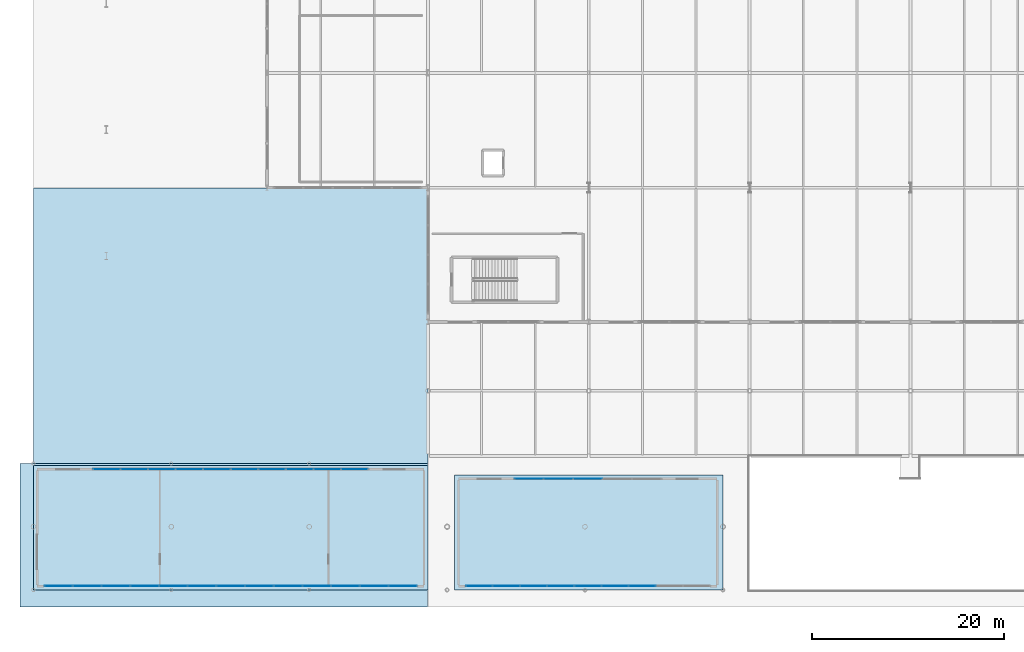
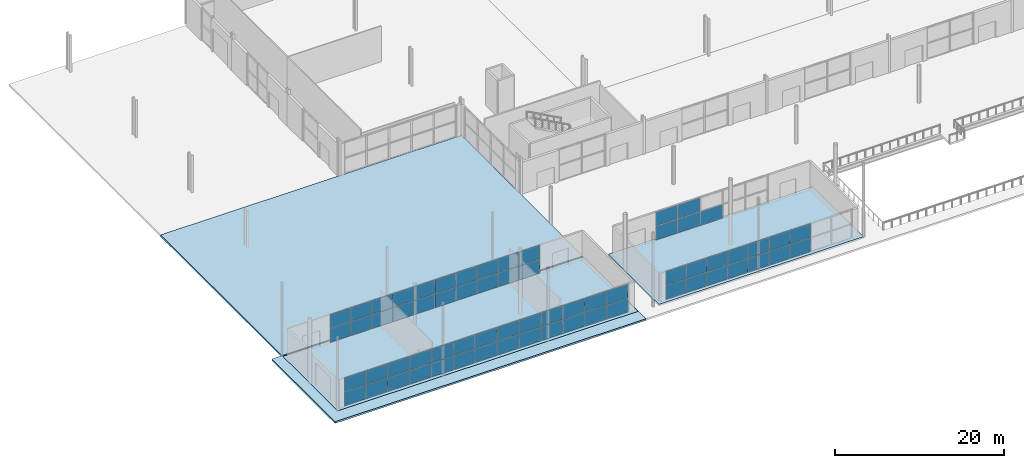
# One storey, part 52 of 87: 65 plates, 4 slabs, 4 elements without a shape of their own.
"""IFC4 building model written with IfcOpenShell, lengths in metres."""

from ifc_helpers import new_model, si_unit, direction, frame, origin, origin_2d, place, context, subcontext, project, spatial, polyline, rectangle, outline, extrude, material, layer, layer_set, type_object, element, aggregate, save


model = new_model("IFC4")

# Units and contexts
model_context = context("Model", 3, precision=1e-05, world=origin(), true_north=direction((0.0, 1.0)))
body_context = subcontext(model_context, "Body", "Model", "MODEL_VIEW")
ifc_project = project(units=[si_unit("LENGTHUNIT", "METRE"), si_unit("AREAUNIT", "SQUARE_METRE"), si_unit("VOLUMEUNIT", "CUBIC_METRE"), si_unit("PLANEANGLEUNIT", "RADIAN"), si_unit("MASSUNIT", "GRAM", prefix="KILO")], contexts=[model_context])

# Site, building, storey
site_placement = place(None, origin())
site = spatial("IfcSite", under=ifc_project, at=site_placement, CompositionType="ELEMENT")
building_placement = place(site_placement, origin())
building = spatial("IfcBuilding", under=site, at=building_placement, Name="Kimbaza Rail Terminus", CompositionType="ELEMENT")
storey_placement = place(building_placement, origin())
storey = spatial("IfcBuildingStorey", under=building, at=storey_placement, Name="L00", CompositionType="ELEMENT", Elevation=0.0)

# Curtain wall, plates
ifc_material_1 = material(Name="Anodised aluminium framing and solar low-E glazing", Category="aluminium")
curtain_wall_type = type_object("IfcCurtainWallType", Name="ARC-CW-PV1", PredefinedType="USERDEFINED", material=ifc_material_1)
curtain_wall_1_placement = place(storey_placement, origin())
curtain_wall_1 = element("IfcCurtainWall", 1, at=curtain_wall_1_placement, inside=storey, type_object=curtain_wall_type, Name="Bus Dispatch Hub North Curtain Wall", ObjectType="STICK CURTAIN WALL", PredefinedType="USERDEFINED")
ifc_material_2 = material(Name="Solar-control double low-E glazing", Category="glass")
ifc_layer_1 = layer(ifc_material_2, 0.027099609375)
ifc_layer_set_1 = layer_set([ifc_layer_1], Name="Solar-control double low-E glazing")
plate_type = type_object("IfcPlateType", Name="ARC-CWP-04", PredefinedType="CURTAIN_PANEL", material=ifc_layer_set_1)
plate_1_placement = place(storey_placement, frame((21.65625, 25.60009765625, 0.06494140625), z_axis=(0.0, 0.0, 1.0), x_axis=(1.0, 0.0, 0.0)))
plate_1 = element("IfcPlate", 2, at=plate_1_placement, type_object=plate_type, Name="CW-04 panel 1.1", PredefinedType="CURTAIN_PANEL", context=body_context, shape_type="SweptSolid", body=[
    extrude(rectangle(XDim=2.782470703125, YDim=0.027099609375, at=origin_2d()), origin(), (0.0, 0.0, 1.0), 2.00244140625),
])
plate_2_placement = place(storey_placement, frame((21.65625, 25.60009765625, 2.132568359375), z_axis=(0.0, 0.0, 1.0), x_axis=(1.0, 0.0, 0.0)))
plate_2 = element("IfcPlate", 3, at=plate_2_placement, type_object=plate_type, Name="CW-04 panel 1.2", PredefinedType="CURTAIN_PANEL", context=body_context, shape_type="SweptSolid", body=[
    extrude(rectangle(XDim=2.782470703125, YDim=0.027099609375, at=origin_2d()), origin(), (0.0, 0.0, 1.0), 2.00244140625),
])
plate_3_placement = place(storey_placement, frame((24.52001953125, 25.60009765625, 0.06494140625), z_axis=(0.0, 0.0, 1.0), x_axis=(1.0, 0.0, 0.0)))
plate_3 = element("IfcPlate", 4, at=plate_3_placement, type_object=plate_type, Name="CW-04 panel 2.1", PredefinedType="CURTAIN_PANEL", context=body_context, shape_type="SweptSolid", body=[
    extrude(rectangle(XDim=2.81494140625, YDim=0.027099609375, at=origin_2d()), origin(), (0.0, 0.0, 1.0), 2.00244140625),
])
plate_4_placement = place(storey_placement, frame((24.52001953125, 25.60009765625, 2.132568359375), z_axis=(0.0, 0.0, 1.0), x_axis=(1.0, 0.0, 0.0)))
plate_4 = element("IfcPlate", 5, at=plate_4_placement, type_object=plate_type, Name="CW-04 panel 2.2", PredefinedType="CURTAIN_PANEL", context=body_context, shape_type="SweptSolid", body=[
    extrude(rectangle(XDim=2.81494140625, YDim=0.027099609375, at=origin_2d()), origin(), (0.0, 0.0, 1.0), 2.00244140625),
])
plate_5_placement = place(storey_placement, frame((27.39990234375, 25.60009765625, 0.06494140625), z_axis=(0.0, 0.0, 1.0), x_axis=(1.0, 0.0, 0.0)))
plate_5 = element("IfcPlate", 6, at=plate_5_placement, type_object=plate_type, Name="CW-04 panel 3.1", PredefinedType="CURTAIN_PANEL", context=body_context, shape_type="SweptSolid", body=[
    extrude(rectangle(XDim=2.81494140625, YDim=0.027099609375, at=origin_2d()), origin(), (0.0, 0.0, 1.0), 2.00244140625),
])
plate_6_placement = place(storey_placement, frame((27.39990234375, 25.60009765625, 2.132568359375), z_axis=(0.0, 0.0, 1.0), x_axis=(1.0, 0.0, 0.0)))
plate_6 = element("IfcPlate", 7, at=plate_6_placement, type_object=plate_type, Name="CW-04 panel 3.2", PredefinedType="CURTAIN_PANEL", context=body_context, shape_type="SweptSolid", body=[
    extrude(rectangle(XDim=2.81494140625, YDim=0.027099609375, at=origin_2d()), origin(), (0.0, 0.0, 1.0), 2.00244140625),
])
plate_7_placement = place(storey_placement, frame((30.280029296875, 25.60009765625, 0.06494140625), z_axis=(0.0, 0.0, 1.0), x_axis=(1.0, 0.0, 0.0)))
plate_7 = element("IfcPlate", 8, at=plate_7_placement, type_object=plate_type, Name="CW-04 panel 4.1", PredefinedType="CURTAIN_PANEL", context=body_context, shape_type="SweptSolid", body=[
    extrude(rectangle(XDim=2.81494140625, YDim=0.027099609375, at=origin_2d()), origin(), (0.0, 0.0, 1.0), 2.00244140625),
])
plate_8_placement = place(storey_placement, frame((30.280029296875, 25.60009765625, 2.132568359375), z_axis=(0.0, 0.0, 1.0), x_axis=(1.0, 0.0, 0.0)))
plate_8 = element("IfcPlate", 9, at=plate_8_placement, type_object=plate_type, Name="CW-04 panel 4.2", PredefinedType="CURTAIN_PANEL", context=body_context, shape_type="SweptSolid", body=[
    extrude(rectangle(XDim=2.81494140625, YDim=0.027099609375, at=origin_2d()), origin(), (0.0, 0.0, 1.0), 2.00244140625),
])
plate_9_placement = place(storey_placement, frame((33.159912109375, 25.60009765625, 0.06494140625), z_axis=(0.0, 0.0, 1.0), x_axis=(1.0, 0.0, 0.0)))
plate_9 = element("IfcPlate", 10, at=plate_9_placement, type_object=plate_type, Name="CW-04 panel 5.1", PredefinedType="CURTAIN_PANEL", context=body_context, shape_type="SweptSolid", body=[
    extrude(rectangle(XDim=2.81494140625, YDim=0.027099609375, at=origin_2d()), origin(), (0.0, 0.0, 1.0), 2.00244140625),
])
plate_10_placement = place(storey_placement, frame((33.159912109375, 25.60009765625, 2.132568359375), z_axis=(0.0, 0.0, 1.0), x_axis=(1.0, 0.0, 0.0)))
plate_10 = element("IfcPlate", 11, at=plate_10_placement, type_object=plate_type, Name="CW-04 panel 5.2", PredefinedType="CURTAIN_PANEL", context=body_context, shape_type="SweptSolid", body=[
    extrude(rectangle(XDim=2.81494140625, YDim=0.027099609375, at=origin_2d()), origin(), (0.0, 0.0, 1.0), 2.00244140625),
])
plate_11_placement = place(storey_placement, frame((36.0400390625, 25.60009765625, 0.06494140625), z_axis=(0.0, 0.0, 1.0), x_axis=(1.0, 0.0, 0.0)))
plate_11 = element("IfcPlate", 12, at=plate_11_placement, type_object=plate_type, Name="CW-04 panel 6.1", PredefinedType="CURTAIN_PANEL", context=body_context, shape_type="SweptSolid", body=[
    extrude(rectangle(XDim=2.81494140625, YDim=0.027099609375, at=origin_2d()), origin(), (0.0, 0.0, 1.0), 2.00244140625),
])
plate_12_placement = place(storey_placement, frame((36.0400390625, 25.60009765625, 2.132568359375), z_axis=(0.0, 0.0, 1.0), x_axis=(1.0, 0.0, 0.0)))
plate_12 = element("IfcPlate", 13, at=plate_12_placement, type_object=plate_type, Name="CW-04 panel 6.2", PredefinedType="CURTAIN_PANEL", context=body_context, shape_type="SweptSolid", body=[
    extrude(rectangle(XDim=2.81494140625, YDim=0.027099609375, at=origin_2d()), origin(), (0.0, 0.0, 1.0), 2.00244140625),
])
plate_13_placement = place(storey_placement, frame((38.919921875, 25.60009765625, 0.06494140625), z_axis=(0.0, 0.0, 1.0), x_axis=(1.0, 0.0, 0.0)))
plate_13 = element("IfcPlate", 14, at=plate_13_placement, type_object=plate_type, Name="CW-04 panel 7.1", PredefinedType="CURTAIN_PANEL", context=body_context, shape_type="SweptSolid", body=[
    extrude(rectangle(XDim=2.81494140625, YDim=0.027099609375, at=origin_2d()), origin(), (0.0, 0.0, 1.0), 2.00244140625),
])
plate_14_placement = place(storey_placement, frame((38.919921875, 25.60009765625, 2.132568359375), z_axis=(0.0, 0.0, 1.0), x_axis=(1.0, 0.0, 0.0)))
plate_14 = element("IfcPlate", 15, at=plate_14_placement, type_object=plate_type, Name="CW-04 panel 7.2", PredefinedType="CURTAIN_PANEL", context=body_context, shape_type="SweptSolid", body=[
    extrude(rectangle(XDim=2.81494140625, YDim=0.027099609375, at=origin_2d()), origin(), (0.0, 0.0, 1.0), 2.00244140625),
])
plate_15_placement = place(storey_placement, frame((41.800048828125, 25.60009765625, 0.06494140625), z_axis=(0.0, 0.0, 1.0), x_axis=(1.0, 0.0, 0.0)))
plate_15 = element("IfcPlate", 16, at=plate_15_placement, type_object=plate_type, Name="CW-04 panel 8.1", PredefinedType="CURTAIN_PANEL", context=body_context, shape_type="SweptSolid", body=[
    extrude(rectangle(XDim=2.81494140625, YDim=0.027099609375, at=origin_2d()), origin(), (0.0, 0.0, 1.0), 2.00244140625),
])
plate_16_placement = place(storey_placement, frame((41.800048828125, 25.60009765625, 2.132568359375), z_axis=(0.0, 0.0, 1.0), x_axis=(1.0, 0.0, 0.0)))
plate_16 = element("IfcPlate", 17, at=plate_16_placement, type_object=plate_type, Name="CW-04 panel 8.2", PredefinedType="CURTAIN_PANEL", context=body_context, shape_type="SweptSolid", body=[
    extrude(rectangle(XDim=2.81494140625, YDim=0.027099609375, at=origin_2d()), origin(), (0.0, 0.0, 1.0), 2.00244140625),
])
plate_17_placement = place(storey_placement, frame((44.679931640625, 25.60009765625, 0.06494140625), z_axis=(0.0, 0.0, 1.0), x_axis=(1.0, 0.0, 0.0)))
plate_17 = element("IfcPlate", 18, at=plate_17_placement, type_object=plate_type, Name="CW-04 panel 9.1", PredefinedType="CURTAIN_PANEL", context=body_context, shape_type="SweptSolid", body=[
    extrude(rectangle(XDim=2.81494140625, YDim=0.027099609375, at=origin_2d()), origin(), (0.0, 0.0, 1.0), 2.00244140625),
])
plate_18_placement = place(storey_placement, frame((44.679931640625, 25.60009765625, 2.132568359375), z_axis=(0.0, 0.0, 1.0), x_axis=(1.0, 0.0, 0.0)))
plate_18 = element("IfcPlate", 19, at=plate_18_placement, type_object=plate_type, Name="CW-04 panel 9.2", PredefinedType="CURTAIN_PANEL", context=body_context, shape_type="SweptSolid", body=[
    extrude(rectangle(XDim=2.81494140625, YDim=0.027099609375, at=origin_2d()), origin(), (0.0, 0.0, 1.0), 2.00244140625),
])
plate_19_placement = place(storey_placement, frame((47.543701171875, 25.60009765625, 0.06494140625), z_axis=(0.0, 0.0, 1.0), x_axis=(1.0, 0.0, 0.0)))
plate_19 = element("IfcPlate", 20, at=plate_19_placement, type_object=plate_type, Name="CW-04 panel 10.1", PredefinedType="CURTAIN_PANEL", context=body_context, shape_type="SweptSolid", body=[
    extrude(rectangle(XDim=2.782470703125, YDim=0.027099609375, at=origin_2d()), origin(), (0.0, 0.0, 1.0), 2.00244140625),
])
plate_20_placement = place(storey_placement, frame((47.543701171875, 25.60009765625, 2.132568359375), z_axis=(0.0, 0.0, 1.0), x_axis=(1.0, 0.0, 0.0)))
plate_20 = element("IfcPlate", 21, at=plate_20_placement, type_object=plate_type, Name="CW-04 panel 10.2", PredefinedType="CURTAIN_PANEL", context=body_context, shape_type="SweptSolid", body=[
    extrude(rectangle(XDim=2.782470703125, YDim=0.027099609375, at=origin_2d()), origin(), (0.0, 0.0, 1.0), 2.00244140625),
])
aggregate(curtain_wall_1, [plate_1, plate_2, plate_3, plate_4, plate_5, plate_6, plate_7, plate_8, plate_9, plate_10, plate_11, plate_12, plate_13, plate_14, plate_15, plate_16, plate_17, plate_18, plate_19, plate_20])

curtain_wall_2_placement = place(storey_placement, origin())
curtain_wall_2 = element("IfcCurtainWall", 22, at=curtain_wall_2_placement, inside=storey, type_object=curtain_wall_type, Name="Bus Dispatch Hub South Curtain Wall", ObjectType="STICK CURTAIN WALL", PredefinedType="USERDEFINED")
plate_21_placement = place(storey_placement, frame((16.634765625, 13.39990234375, 0.06494140625), z_axis=(0.0, 0.0, 1.0), x_axis=(1.0, 0.0, 0.0)))
plate_21 = element("IfcPlate", 23, at=plate_21_placement, type_object=plate_type, Name="CW-04 panel 1.1", PredefinedType="CURTAIN_PANEL", context=body_context, shape_type="SweptSolid", body=[
    extrude(rectangle(XDim=2.8994140625, YDim=0.027099609375, at=origin_2d()), origin(), (0.0, 0.0, 1.0), 2.00244140625),
])
plate_22_placement = place(storey_placement, frame((16.634765625, 13.39990234375, 2.132568359375), z_axis=(0.0, 0.0, 1.0), x_axis=(1.0, 0.0, 0.0)))
plate_22 = element("IfcPlate", 24, at=plate_22_placement, type_object=plate_type, Name="CW-04 panel 1.2", PredefinedType="CURTAIN_PANEL", context=body_context, shape_type="SweptSolid", body=[
    extrude(rectangle(XDim=2.8994140625, YDim=0.027099609375, at=origin_2d()), origin(), (0.0, 0.0, 1.0), 2.00244140625),
])
plate_23_placement = place(storey_placement, frame((19.615478515625, 13.39990234375, 0.06494140625), z_axis=(0.0, 0.0, 1.0), x_axis=(1.0, 0.0, 0.0)))
plate_23 = element("IfcPlate", 25, at=plate_23_placement, type_object=plate_type, Name="CW-04 panel 2.1", PredefinedType="CURTAIN_PANEL", context=body_context, shape_type="SweptSolid", body=[
    extrude(rectangle(XDim=2.931884765625, YDim=0.027099609375, at=origin_2d()), origin(), (0.0, 0.0, 1.0), 2.00244140625),
])
plate_24_placement = place(storey_placement, frame((19.615478515625, 13.39990234375, 2.132568359375), z_axis=(0.0, 0.0, 1.0), x_axis=(1.0, 0.0, 0.0)))
plate_24 = element("IfcPlate", 26, at=plate_24_placement, type_object=plate_type, Name="CW-04 panel 2.2", PredefinedType="CURTAIN_PANEL", context=body_context, shape_type="SweptSolid", body=[
    extrude(rectangle(XDim=2.931884765625, YDim=0.027099609375, at=origin_2d()), origin(), (0.0, 0.0, 1.0), 2.00244140625),
])
plate_25_placement = place(storey_placement, frame((22.6123046875, 13.39990234375, 0.06494140625), z_axis=(0.0, 0.0, 1.0), x_axis=(1.0, 0.0, 0.0)))
plate_25 = element("IfcPlate", 27, at=plate_25_placement, type_object=plate_type, Name="CW-04 panel 3.1", PredefinedType="CURTAIN_PANEL", context=body_context, shape_type="SweptSolid", body=[
    extrude(rectangle(XDim=2.931884765625, YDim=0.027099609375, at=origin_2d()), origin(), (0.0, 0.0, 1.0), 2.00244140625),
])
plate_26_placement = place(storey_placement, frame((22.6123046875, 13.39990234375, 2.132568359375), z_axis=(0.0, 0.0, 1.0), x_axis=(1.0, 0.0, 0.0)))
plate_26 = element("IfcPlate", 28, at=plate_26_placement, type_object=plate_type, Name="CW-04 panel 3.2", PredefinedType="CURTAIN_PANEL", context=body_context, shape_type="SweptSolid", body=[
    extrude(rectangle(XDim=2.931884765625, YDim=0.027099609375, at=origin_2d()), origin(), (0.0, 0.0, 1.0), 2.00244140625),
])
plate_27_placement = place(storey_placement, frame((25.609130859375, 13.39990234375, 0.06494140625), z_axis=(0.0, 0.0, 1.0), x_axis=(1.0, 0.0, 0.0)))
plate_27 = element("IfcPlate", 29, at=plate_27_placement, type_object=plate_type, Name="CW-04 panel 4.1", PredefinedType="CURTAIN_PANEL", context=body_context, shape_type="SweptSolid", body=[
    extrude(rectangle(XDim=2.931884765625, YDim=0.027099609375, at=origin_2d()), origin(), (0.0, 0.0, 1.0), 2.00244140625),
])
plate_28_placement = place(storey_placement, frame((25.609130859375, 13.39990234375, 2.132568359375), z_axis=(0.0, 0.0, 1.0), x_axis=(1.0, 0.0, 0.0)))
plate_28 = element("IfcPlate", 30, at=plate_28_placement, type_object=plate_type, Name="CW-04 panel 4.2", PredefinedType="CURTAIN_PANEL", context=body_context, shape_type="SweptSolid", body=[
    extrude(rectangle(XDim=2.931884765625, YDim=0.027099609375, at=origin_2d()), origin(), (0.0, 0.0, 1.0), 2.00244140625),
])
plate_29_placement = place(storey_placement, frame((28.606201171875, 13.39990234375, 0.06494140625), z_axis=(0.0, 0.0, 1.0), x_axis=(1.0, 0.0, 0.0)))
plate_29 = element("IfcPlate", 31, at=plate_29_placement, type_object=plate_type, Name="CW-04 panel 5.1", PredefinedType="CURTAIN_PANEL", context=body_context, shape_type="SweptSolid", body=[
    extrude(rectangle(XDim=2.931884765625, YDim=0.027099609375, at=origin_2d()), origin(), (0.0, 0.0, 1.0), 2.00244140625),
])
plate_30_placement = place(storey_placement, frame((28.606201171875, 13.39990234375, 2.132568359375), z_axis=(0.0, 0.0, 1.0), x_axis=(1.0, 0.0, 0.0)))
plate_30 = element("IfcPlate", 32, at=plate_30_placement, type_object=plate_type, Name="CW-04 panel 5.2", PredefinedType="CURTAIN_PANEL", context=body_context, shape_type="SweptSolid", body=[
    extrude(rectangle(XDim=2.931884765625, YDim=0.027099609375, at=origin_2d()), origin(), (0.0, 0.0, 1.0), 2.00244140625),
])
plate_31_placement = place(storey_placement, frame((31.60302734375, 13.39990234375, 0.06494140625), z_axis=(0.0, 0.0, 1.0), x_axis=(1.0, 0.0, 0.0)))
plate_31 = element("IfcPlate", 33, at=plate_31_placement, type_object=plate_type, Name="CW-04 panel 6.1", PredefinedType="CURTAIN_PANEL", context=body_context, shape_type="SweptSolid", body=[
    extrude(rectangle(XDim=2.931884765625, YDim=0.027099609375, at=origin_2d()), origin(), (0.0, 0.0, 1.0), 2.00244140625),
])
plate_32_placement = place(storey_placement, frame((31.60302734375, 13.39990234375, 2.132568359375), z_axis=(0.0, 0.0, 1.0), x_axis=(1.0, 0.0, 0.0)))
plate_32 = element("IfcPlate", 34, at=plate_32_placement, type_object=plate_type, Name="CW-04 panel 6.2", PredefinedType="CURTAIN_PANEL", context=body_context, shape_type="SweptSolid", body=[
    extrude(rectangle(XDim=2.931884765625, YDim=0.027099609375, at=origin_2d()), origin(), (0.0, 0.0, 1.0), 2.00244140625),
])
plate_33_placement = place(storey_placement, frame((34.60009765625, 13.39990234375, 0.06494140625), z_axis=(0.0, 0.0, 1.0), x_axis=(1.0, 0.0, 0.0)))
plate_33 = element("IfcPlate", 35, at=plate_33_placement, type_object=plate_type, Name="CW-04 panel 7.1", PredefinedType="CURTAIN_PANEL", context=body_context, shape_type="SweptSolid", body=[
    extrude(rectangle(XDim=2.931884765625, YDim=0.027099609375, at=origin_2d()), origin(), (0.0, 0.0, 1.0), 2.00244140625),
])
plate_34_placement = place(storey_placement, frame((34.60009765625, 13.39990234375, 2.132568359375), z_axis=(0.0, 0.0, 1.0), x_axis=(1.0, 0.0, 0.0)))
plate_34 = element("IfcPlate", 36, at=plate_34_placement, type_object=plate_type, Name="CW-04 panel 7.2", PredefinedType="CURTAIN_PANEL", context=body_context, shape_type="SweptSolid", body=[
    extrude(rectangle(XDim=2.931884765625, YDim=0.027099609375, at=origin_2d()), origin(), (0.0, 0.0, 1.0), 2.00244140625),
])
plate_35_placement = place(storey_placement, frame((37.596923828125, 13.39990234375, 0.06494140625), z_axis=(0.0, 0.0, 1.0), x_axis=(1.0, 0.0, 0.0)))
plate_35 = element("IfcPlate", 37, at=plate_35_placement, type_object=plate_type, Name="CW-04 panel 8.1", PredefinedType="CURTAIN_PANEL", context=body_context, shape_type="SweptSolid", body=[
    extrude(rectangle(XDim=2.931884765625, YDim=0.027099609375, at=origin_2d()), origin(), (0.0, 0.0, 1.0), 2.00244140625),
])
plate_36_placement = place(storey_placement, frame((37.596923828125, 13.39990234375, 2.132568359375), z_axis=(0.0, 0.0, 1.0), x_axis=(1.0, 0.0, 0.0)))
plate_36 = element("IfcPlate", 38, at=plate_36_placement, type_object=plate_type, Name="CW-04 panel 8.2", PredefinedType="CURTAIN_PANEL", context=body_context, shape_type="SweptSolid", body=[
    extrude(rectangle(XDim=2.931884765625, YDim=0.027099609375, at=origin_2d()), origin(), (0.0, 0.0, 1.0), 2.00244140625),
])
plate_37_placement = place(storey_placement, frame((40.59375, 13.39990234375, 0.06494140625), z_axis=(0.0, 0.0, 1.0), x_axis=(1.0, 0.0, 0.0)))
plate_37 = element("IfcPlate", 39, at=plate_37_placement, type_object=plate_type, Name="CW-04 panel 9.1", PredefinedType="CURTAIN_PANEL", context=body_context, shape_type="SweptSolid", body=[
    extrude(rectangle(XDim=2.931884765625, YDim=0.027099609375, at=origin_2d()), origin(), (0.0, 0.0, 1.0), 2.00244140625),
])
plate_38_placement = place(storey_placement, frame((40.59375, 13.39990234375, 2.132568359375), z_axis=(0.0, 0.0, 1.0), x_axis=(1.0, 0.0, 0.0)))
plate_38 = element("IfcPlate", 40, at=plate_38_placement, type_object=plate_type, Name="CW-04 panel 9.2", PredefinedType="CURTAIN_PANEL", context=body_context, shape_type="SweptSolid", body=[
    extrude(rectangle(XDim=2.931884765625, YDim=0.027099609375, at=origin_2d()), origin(), (0.0, 0.0, 1.0), 2.00244140625),
])
plate_39_placement = place(storey_placement, frame((43.5908203125, 13.39990234375, 0.06494140625), z_axis=(0.0, 0.0, 1.0), x_axis=(1.0, 0.0, 0.0)))
plate_39 = element("IfcPlate", 41, at=plate_39_placement, type_object=plate_type, Name="CW-04 panel 10.1", PredefinedType="CURTAIN_PANEL", context=body_context, shape_type="SweptSolid", body=[
    extrude(rectangle(XDim=2.931884765625, YDim=0.027099609375, at=origin_2d()), origin(), (0.0, 0.0, 1.0), 2.00244140625),
])
plate_40_placement = place(storey_placement, frame((43.5908203125, 13.39990234375, 2.132568359375), z_axis=(0.0, 0.0, 1.0), x_axis=(1.0, 0.0, 0.0)))
plate_40 = element("IfcPlate", 42, at=plate_40_placement, type_object=plate_type, Name="CW-04 panel 10.2", PredefinedType="CURTAIN_PANEL", context=body_context, shape_type="SweptSolid", body=[
    extrude(rectangle(XDim=2.931884765625, YDim=0.027099609375, at=origin_2d()), origin(), (0.0, 0.0, 1.0), 2.00244140625),
])
plate_41_placement = place(storey_placement, frame((46.587646484375, 13.39990234375, 0.06494140625), z_axis=(0.0, 0.0, 1.0), x_axis=(1.0, 0.0, 0.0)))
plate_41 = element("IfcPlate", 43, at=plate_41_placement, type_object=plate_type, Name="CW-04 panel 11.1", PredefinedType="CURTAIN_PANEL", context=body_context, shape_type="SweptSolid", body=[
    extrude(rectangle(XDim=2.931884765625, YDim=0.027099609375, at=origin_2d()), origin(), (0.0, 0.0, 1.0), 2.00244140625),
])
plate_42_placement = place(storey_placement, frame((46.587646484375, 13.39990234375, 2.132568359375), z_axis=(0.0, 0.0, 1.0), x_axis=(1.0, 0.0, 0.0)))
plate_42 = element("IfcPlate", 44, at=plate_42_placement, type_object=plate_type, Name="CW-04 panel 11.2", PredefinedType="CURTAIN_PANEL", context=body_context, shape_type="SweptSolid", body=[
    extrude(rectangle(XDim=2.931884765625, YDim=0.027099609375, at=origin_2d()), origin(), (0.0, 0.0, 1.0), 2.00244140625),
])
plate_43_placement = place(storey_placement, frame((49.584716796875, 13.39990234375, 0.06494140625), z_axis=(0.0, 0.0, 1.0), x_axis=(1.0, 0.0, 0.0)))
plate_43 = element("IfcPlate", 45, at=plate_43_placement, type_object=plate_type, Name="CW-04 panel 12.1", PredefinedType="CURTAIN_PANEL", context=body_context, shape_type="SweptSolid", body=[
    extrude(rectangle(XDim=2.931884765625, YDim=0.027099609375, at=origin_2d()), origin(), (0.0, 0.0, 1.0), 2.00244140625),
])
plate_44_placement = place(storey_placement, frame((49.584716796875, 13.39990234375, 2.132568359375), z_axis=(0.0, 0.0, 1.0), x_axis=(1.0, 0.0, 0.0)))
plate_44 = element("IfcPlate", 46, at=plate_44_placement, type_object=plate_type, Name="CW-04 panel 12.2", PredefinedType="CURTAIN_PANEL", context=body_context, shape_type="SweptSolid", body=[
    extrude(rectangle(XDim=2.931884765625, YDim=0.027099609375, at=origin_2d()), origin(), (0.0, 0.0, 1.0), 2.00244140625),
])
plate_45_placement = place(storey_placement, frame((52.565185546875, 13.39990234375, 0.06494140625), z_axis=(0.0, 0.0, 1.0), x_axis=(1.0, 0.0, 0.0)))
plate_45 = element("IfcPlate", 47, at=plate_45_placement, type_object=plate_type, Name="CW-04 panel 13.1", PredefinedType="CURTAIN_PANEL", context=body_context, shape_type="SweptSolid", body=[
    extrude(rectangle(XDim=2.8994140625, YDim=0.027099609375, at=origin_2d()), origin(), (0.0, 0.0, 1.0), 2.00244140625),
])
plate_46_placement = place(storey_placement, frame((52.565185546875, 13.39990234375, 2.132568359375), z_axis=(0.0, 0.0, 1.0), x_axis=(1.0, 0.0, 0.0)))
plate_46 = element("IfcPlate", 48, at=plate_46_placement, type_object=plate_type, Name="CW-04 panel 13.2", PredefinedType="CURTAIN_PANEL", context=body_context, shape_type="SweptSolid", body=[
    extrude(rectangle(XDim=2.8994140625, YDim=0.027099609375, at=origin_2d()), origin(), (0.0, 0.0, 1.0), 2.00244140625),
])
aggregate(curtain_wall_2, [plate_21, plate_22, plate_23, plate_24, plate_25, plate_26, plate_27, plate_28, plate_29, plate_30, plate_31, plate_32, plate_33, plate_34, plate_35, plate_36, plate_37, plate_38, plate_39, plate_40, plate_41, plate_42, plate_43, plate_44, plate_45, plate_46])

curtain_wall_3_placement = place(storey_placement, origin())
curtain_wall_3 = element("IfcCurtainWall", 49, at=curtain_wall_3_placement, inside=storey, type_object=curtain_wall_type, Name="Taxi Waiting Pavilion North Curtain Wall", ObjectType="STICK CURTAIN WALL", PredefinedType="USERDEFINED")
plate_47_placement = place(storey_placement, frame((65.75634765625, 24.60009765625, 0.06494140625), z_axis=(0.0, 0.0, 1.0), x_axis=(1.0, 0.0, 0.0)))
plate_47 = element("IfcPlate", 50, at=plate_47_placement, type_object=plate_type, Name="CW-04 panel 1.1", PredefinedType="CURTAIN_PANEL", context=body_context, shape_type="SweptSolid", body=[
    extrude(rectangle(XDim=2.982421875, YDim=0.027099609375, at=origin_2d()), origin(), (0.0, 0.0, 1.0), 2.00244140625),
])
plate_48_placement = place(storey_placement, frame((65.75634765625, 24.60009765625, 2.132568359375), z_axis=(0.0, 0.0, 1.0), x_axis=(1.0, 0.0, 0.0)))
plate_48 = element("IfcPlate", 51, at=plate_48_placement, type_object=plate_type, Name="CW-04 panel 1.2", PredefinedType="CURTAIN_PANEL", context=body_context, shape_type="SweptSolid", body=[
    extrude(rectangle(XDim=2.982421875, YDim=0.027099609375, at=origin_2d()), origin(), (0.0, 0.0, 1.0), 2.00244140625),
])
plate_49_placement = place(storey_placement, frame((68.820068359375, 24.60009765625, 0.06494140625), z_axis=(0.0, 0.0, 1.0), x_axis=(1.0, 0.0, 0.0)))
plate_49 = element("IfcPlate", 52, at=plate_49_placement, type_object=plate_type, Name="CW-04 panel 2.1", PredefinedType="CURTAIN_PANEL", context=body_context, shape_type="SweptSolid", body=[
    extrude(rectangle(XDim=3.014892578125, YDim=0.027099609375, at=origin_2d()), origin(), (0.0, 0.0, 1.0), 2.00244140625),
])
plate_50_placement = place(storey_placement, frame((68.820068359375, 24.60009765625, 2.132568359375), z_axis=(0.0, 0.0, 1.0), x_axis=(1.0, 0.0, 0.0)))
plate_50 = element("IfcPlate", 53, at=plate_50_placement, type_object=plate_type, Name="CW-04 panel 2.2", PredefinedType="CURTAIN_PANEL", context=body_context, shape_type="SweptSolid", body=[
    extrude(rectangle(XDim=3.014892578125, YDim=0.027099609375, at=origin_2d()), origin(), (0.0, 0.0, 1.0), 2.00244140625),
])
plate_51_placement = place(storey_placement, frame((71.89990234375, 24.60009765625, 0.06494140625), z_axis=(0.0, 0.0, 1.0), x_axis=(1.0, 0.0, 0.0)))
plate_51 = element("IfcPlate", 54, at=plate_51_placement, type_object=plate_type, Name="CW-04 panel 3.1", PredefinedType="CURTAIN_PANEL", context=body_context, shape_type="SweptSolid", body=[
    extrude(rectangle(XDim=3.014892578125, YDim=0.027099609375, at=origin_2d()), origin(), (0.0, 0.0, 1.0), 2.00244140625),
])
aggregate(curtain_wall_3, [plate_47, plate_48, plate_49, plate_50, plate_51])

curtain_wall_4_placement = place(storey_placement, origin())
curtain_wall_4 = element("IfcCurtainWall", 55, at=curtain_wall_4_placement, inside=storey, type_object=curtain_wall_type, Name="Taxi Waiting Pavilion South Curtain Wall", ObjectType="STICK CURTAIN WALL", PredefinedType="USERDEFINED")
plate_52_placement = place(storey_placement, frame((60.55615234375, 13.39990234375, 0.06494140625), z_axis=(0.0, 0.0, 1.0), x_axis=(1.0, 0.0, 0.0)))
plate_52 = element("IfcPlate", 56, at=plate_52_placement, type_object=plate_type, Name="CW-04 panel 1.1", PredefinedType="CURTAIN_PANEL", context=body_context, shape_type="SweptSolid", body=[
    extrude(rectangle(XDim=2.742431640625, YDim=0.027099609375, at=origin_2d()), origin(), (0.0, 0.0, 1.0), 2.00244140625),
])
plate_53_placement = place(storey_placement, frame((60.55615234375, 13.39990234375, 2.132568359375), z_axis=(0.0, 0.0, 1.0), x_axis=(1.0, 0.0, 0.0)))
plate_53 = element("IfcPlate", 57, at=plate_53_placement, type_object=plate_type, Name="CW-04 panel 1.2", PredefinedType="CURTAIN_PANEL", context=body_context, shape_type="SweptSolid", body=[
    extrude(rectangle(XDim=2.742431640625, YDim=0.027099609375, at=origin_2d()), origin(), (0.0, 0.0, 1.0), 2.00244140625),
])
plate_54_placement = place(storey_placement, frame((63.3798828125, 13.39990234375, 0.06494140625), z_axis=(0.0, 0.0, 1.0), x_axis=(1.0, 0.0, 0.0)))
plate_54 = element("IfcPlate", 58, at=plate_54_placement, type_object=plate_type, Name="CW-04 panel 2.1", PredefinedType="CURTAIN_PANEL", context=body_context, shape_type="SweptSolid", body=[
    extrude(rectangle(XDim=2.77490234375, YDim=0.027099609375, at=origin_2d()), origin(), (0.0, 0.0, 1.0), 2.00244140625),
])
plate_55_placement = place(storey_placement, frame((63.3798828125, 13.39990234375, 2.132568359375), z_axis=(0.0, 0.0, 1.0), x_axis=(1.0, 0.0, 0.0)))
plate_55 = element("IfcPlate", 59, at=plate_55_placement, type_object=plate_type, Name="CW-04 panel 2.2", PredefinedType="CURTAIN_PANEL", context=body_context, shape_type="SweptSolid", body=[
    extrude(rectangle(XDim=2.77490234375, YDim=0.027099609375, at=origin_2d()), origin(), (0.0, 0.0, 1.0), 2.00244140625),
])
plate_56_placement = place(storey_placement, frame((66.219970703125, 13.39990234375, 0.06494140625), z_axis=(0.0, 0.0, 1.0), x_axis=(1.0, 0.0, 0.0)))
plate_56 = element("IfcPlate", 60, at=plate_56_placement, type_object=plate_type, Name="CW-04 panel 3.1", PredefinedType="CURTAIN_PANEL", context=body_context, shape_type="SweptSolid", body=[
    extrude(rectangle(XDim=2.77490234375, YDim=0.027099609375, at=origin_2d()), origin(), (0.0, 0.0, 1.0), 2.00244140625),
])
plate_57_placement = place(storey_placement, frame((66.219970703125, 13.39990234375, 2.132568359375), z_axis=(0.0, 0.0, 1.0), x_axis=(1.0, 0.0, 0.0)))
plate_57 = element("IfcPlate", 61, at=plate_57_placement, type_object=plate_type, Name="CW-04 panel 3.2", PredefinedType="CURTAIN_PANEL", context=body_context, shape_type="SweptSolid", body=[
    extrude(rectangle(XDim=2.77490234375, YDim=0.027099609375, at=origin_2d()), origin(), (0.0, 0.0, 1.0), 2.00244140625),
])
plate_58_placement = place(storey_placement, frame((69.06005859375, 13.39990234375, 0.06494140625), z_axis=(0.0, 0.0, 1.0), x_axis=(1.0, 0.0, 0.0)))
plate_58 = element("IfcPlate", 62, at=plate_58_placement, type_object=plate_type, Name="CW-04 panel 4.1", PredefinedType="CURTAIN_PANEL", context=body_context, shape_type="SweptSolid", body=[
    extrude(rectangle(XDim=2.77490234375, YDim=0.027099609375, at=origin_2d()), origin(), (0.0, 0.0, 1.0), 2.00244140625),
])
plate_59_placement = place(storey_placement, frame((69.06005859375, 13.39990234375, 2.132568359375), z_axis=(0.0, 0.0, 1.0), x_axis=(1.0, 0.0, 0.0)))
plate_59 = element("IfcPlate", 63, at=plate_59_placement, type_object=plate_type, Name="CW-04 panel 4.2", PredefinedType="CURTAIN_PANEL", context=body_context, shape_type="SweptSolid", body=[
    extrude(rectangle(XDim=2.77490234375, YDim=0.027099609375, at=origin_2d()), origin(), (0.0, 0.0, 1.0), 2.00244140625),
])
plate_60_placement = place(storey_placement, frame((71.89990234375, 13.39990234375, 0.06494140625), z_axis=(0.0, 0.0, 1.0), x_axis=(1.0, 0.0, 0.0)))
plate_60 = element("IfcPlate", 64, at=plate_60_placement, type_object=plate_type, Name="CW-04 panel 5.1", PredefinedType="CURTAIN_PANEL", context=body_context, shape_type="SweptSolid", body=[
    extrude(rectangle(XDim=2.77490234375, YDim=0.027099609375, at=origin_2d()), origin(), (0.0, 0.0, 1.0), 2.00244140625),
])
plate_61_placement = place(storey_placement, frame((71.89990234375, 13.39990234375, 2.132568359375), z_axis=(0.0, 0.0, 1.0), x_axis=(1.0, 0.0, 0.0)))
plate_61 = element("IfcPlate", 65, at=plate_61_placement, type_object=plate_type, Name="CW-04 panel 5.2", PredefinedType="CURTAIN_PANEL", context=body_context, shape_type="SweptSolid", body=[
    extrude(rectangle(XDim=2.77490234375, YDim=0.027099609375, at=origin_2d()), origin(), (0.0, 0.0, 1.0), 2.00244140625),
])
plate_62_placement = place(storey_placement, frame((74.739990234375, 13.39990234375, 0.06494140625), z_axis=(0.0, 0.0, 1.0), x_axis=(1.0, 0.0, 0.0)))
plate_62 = element("IfcPlate", 66, at=plate_62_placement, type_object=plate_type, Name="CW-04 panel 6.1", PredefinedType="CURTAIN_PANEL", context=body_context, shape_type="SweptSolid", body=[
    extrude(rectangle(XDim=2.77490234375, YDim=0.027099609375, at=origin_2d()), origin(), (0.0, 0.0, 1.0), 2.00244140625),
])
plate_63_placement = place(storey_placement, frame((74.739990234375, 13.39990234375, 2.132568359375), z_axis=(0.0, 0.0, 1.0), x_axis=(1.0, 0.0, 0.0)))
plate_63 = element("IfcPlate", 67, at=plate_63_placement, type_object=plate_type, Name="CW-04 panel 6.2", PredefinedType="CURTAIN_PANEL", context=body_context, shape_type="SweptSolid", body=[
    extrude(rectangle(XDim=2.77490234375, YDim=0.027099609375, at=origin_2d()), origin(), (0.0, 0.0, 1.0), 2.00244140625),
])
plate_64_placement = place(storey_placement, frame((77.580078125, 13.39990234375, 0.06494140625), z_axis=(0.0, 0.0, 1.0), x_axis=(1.0, 0.0, 0.0)))
plate_64 = element("IfcPlate", 68, at=plate_64_placement, type_object=plate_type, Name="CW-04 panel 7.1", PredefinedType="CURTAIN_PANEL", context=body_context, shape_type="SweptSolid", body=[
    extrude(rectangle(XDim=2.77490234375, YDim=0.027099609375, at=origin_2d()), origin(), (0.0, 0.0, 1.0), 2.00244140625),
])
plate_65_placement = place(storey_placement, frame((77.580078125, 13.39990234375, 2.132568359375), z_axis=(0.0, 0.0, 1.0), x_axis=(1.0, 0.0, 0.0)))
plate_65 = element("IfcPlate", 69, at=plate_65_placement, type_object=plate_type, Name="CW-04 panel 7.2", PredefinedType="CURTAIN_PANEL", context=body_context, shape_type="SweptSolid", body=[
    extrude(rectangle(XDim=2.77490234375, YDim=0.027099609375, at=origin_2d()), origin(), (0.0, 0.0, 1.0), 2.00244140625),
])
aggregate(curtain_wall_4, [plate_52, plate_53, plate_54, plate_55, plate_56, plate_57, plate_58, plate_59, plate_60, plate_61, plate_62, plate_63, plate_64, plate_65])

# Slabs
ifc_material_3 = material(Name="Concrete C40/50", Category="concrete")
ifc_layer_2 = layer(ifc_material_3, 0.25)
ifc_layer_set_2 = layer_set([ifc_layer_2], Name="Concrete C40/50")
slab_type_1 = type_object("IfcSlabType", Name="STR-SL-BASE250", PredefinedType="BASESLAB", material=ifc_layer_set_2)
slab_1_placement = place(storey_placement, frame((0.0, 0.0, -0.25)))
element("IfcSlab", 70, at=slab_1_placement, inside=storey, type_object=slab_type_1, Name="Forecourt Bus Dispatch and Mobility Hub Slab", PredefinedType="BASESLAB", context=body_context, shape_type="SweptSolid", body=[
    extrude(outline(polyline([(14.0, 13.0), (55.199951171875, 13.0), (55.199951171875, 26.0), (14.0, 26.0), (14.0, 13.0)])), origin(), (0.0, 0.0, 1.0), 0.25),
])
slab_2_placement = place(storey_placement, frame((0.0, 0.0, -0.25)))
element("IfcSlab", 71, at=slab_2_placement, inside=storey, type_object=slab_type_1, Name="Forecourt Taxi Waiting Kiosk Slab", PredefinedType="BASESLAB", context=body_context, shape_type="SweptSolid", body=[
    extrude(outline(polyline([(58.0, 13.0), (86.0, 13.0), (86.0, 25.0), (58.0, 25.0), (58.0, 13.0)])), origin(), (0.0, 0.0, 1.0), 0.25),
])
ifc_material_4 = material(Name="Concrete C40/50", Category="concrete")
ifc_layer_3 = layer(ifc_material_4, 0.25)
ifc_layer_set_3 = layer_set([ifc_layer_3], Name="Concrete C40/50")
slab_type_2 = type_object("IfcSlabType", Name="STR-SL-PLZ250", PredefinedType="BASESLAB", material=ifc_layer_set_3)
slab_3_placement = place(storey_placement, frame((0.0, 0.0, -0.25)))
element("IfcSlab", 72, at=slab_3_placement, inside=storey, type_object=slab_type_2, Name="South-West Forecourt Drop-Off Apron", PredefinedType="BASESLAB", context=body_context, shape_type="SweptSolid", body=[
    extrude(outline(polyline([(14.0, 26.199951171875), (55.199951171875, 26.199951171875), (55.199951171875, 55.0), (14.0, 55.0), (14.0, 26.199951171875)])), origin(), (0.0, 0.0, 1.0), 0.25),
])
slab_4_placement = place(storey_placement, frame((0.0, 0.0, -0.25)))
element("IfcSlab", 73, at=slab_4_placement, inside=storey, type_object=slab_type_2, Name="Forecourt Kiosk Perimeter Sidewalk", PredefinedType="BASESLAB", context=body_context, shape_type="SweptSolid", body=[
    extrude(outline(polyline([(12.60009765625, 11.199951171875), (55.179931640625, 11.199951171875), (55.179931640625, 26.179931640625), (12.60009765625, 26.179931640625), (12.60009765625, 11.199951171875)]), holes=[polyline([(14.0, 13.0), (55.159912109375, 13.0), (55.159912109375, 26.0), (14.0, 26.0), (14.0, 13.0)])]), origin(), (0.0, 0.0, 1.0), 0.25),
])

save(model, "model.ifc")
